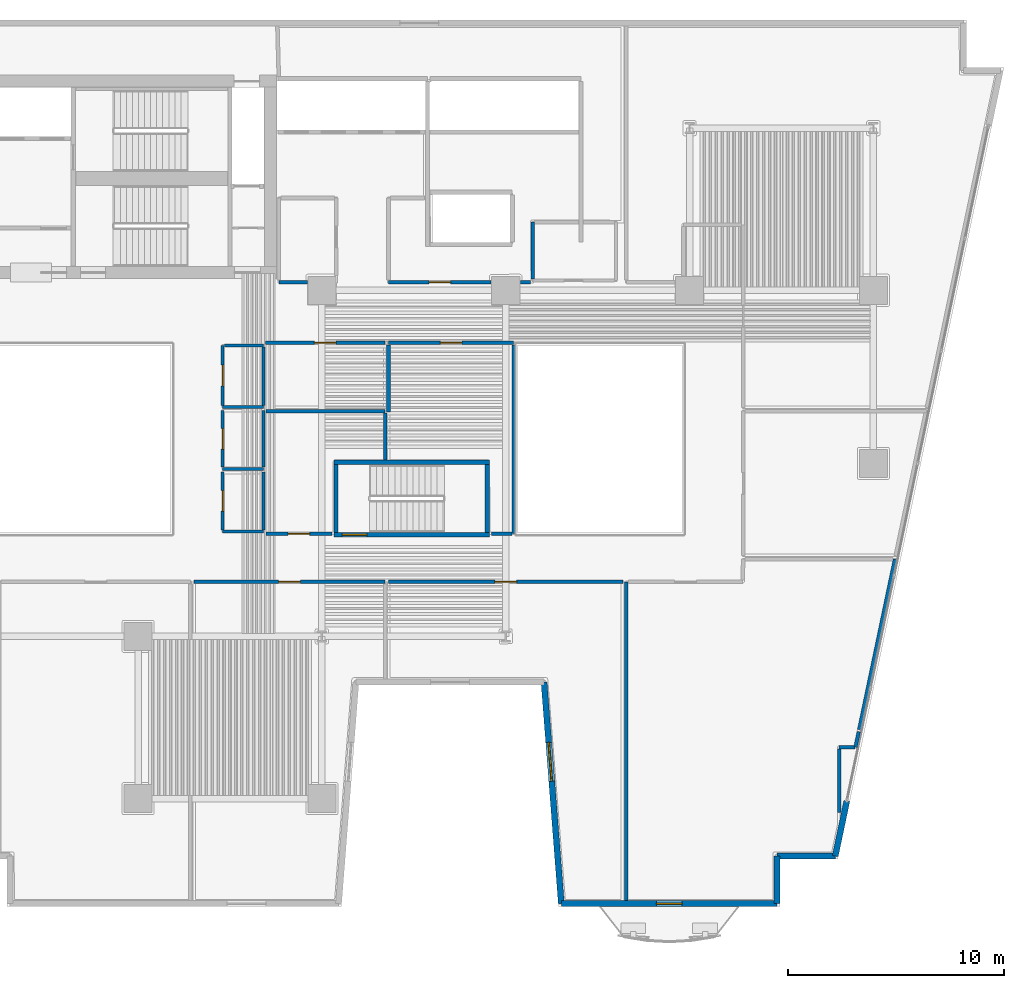
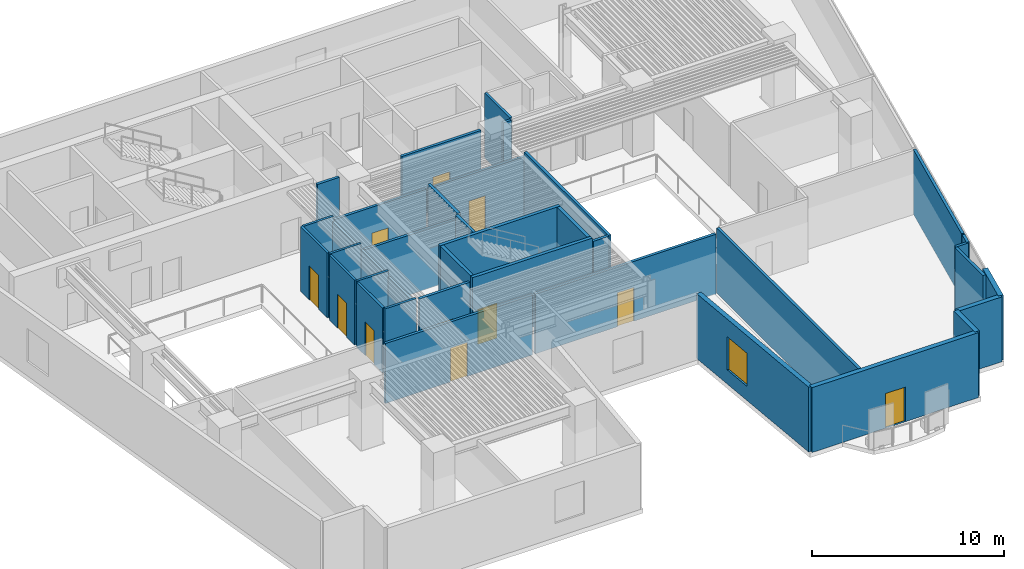
# One storey, part 4 of 12: 38 walls, 11 doors, 1 window, 12 openings.
"""IFC4 building model written with IfcOpenShell, lengths in metres."""

from ifc_helpers import new_model, si_unit, direction, frame, frame_2d, origin, place, context, subcontext, project, spatial, rectangle, extrude, material, layer, layer_set, type_object, element, fill, save


model = new_model("IFC4")

# Units and contexts
model_context = context("Model", 3, precision=1e-05, world=origin(), true_north=direction((0.0, 1.0)))
body_context = subcontext(model_context, "Body", "Model", "MODEL_VIEW")
ifc_project = project(units=[si_unit("LENGTHUNIT", "METRE"), si_unit("AREAUNIT", "SQUARE_METRE"), si_unit("VOLUMEUNIT", "CUBIC_METRE"), si_unit("PLANEANGLEUNIT", "RADIAN"), si_unit("MASSUNIT", "GRAM", prefix="KILO")], contexts=[model_context])

# Site, building, storey
site_placement = place(None, origin())
site = spatial("IfcSite", under=ifc_project, at=site_placement, CompositionType="ELEMENT")
building_placement = place(site_placement, origin())
building = spatial("IfcBuilding", under=site, at=building_placement, Name="Caeloran Harvest Quay", CompositionType="ELEMENT")
storey_placement = place(building_placement, frame((0.0, 0.0, 88.60009765625)))
storey = spatial("IfcBuildingStorey", under=building, at=storey_placement, Name="L20", CompositionType="ELEMENT", Elevation=88.60009765625)

# Walls
ifc_material_1 = material(Name="Precast concrete C50/60", Category="concrete")
ifc_layer_1 = layer(ifc_material_1, 0.280029296875, Name="Precast concrete C50/60")
ifc_layer_set_1 = layer_set([ifc_layer_1], Name="Precast concrete C50/60")
wall_type_1 = type_object("IfcWallType", Name="ENV-WALL-EW-280", PredefinedType="STANDARD", material=ifc_layer_set_1)
wall_1_placement = place(storey_placement, frame((49.77001953125, 7.384521484375, 0.0), z_axis=(0.0, 0.0, 1.0), x_axis=(-0.205551409765, -0.978646319128, 0.0)))
element("IfcWall", 1, at=wall_1_placement, inside=storey, type_object=wall_type_1, Name="L20 Exterior Facade Corner Pier Wall 9B", PredefinedType="STANDARD", context=body_context, shape_type="SweptSolid", body=[
    extrude(rectangle(XDim=2.599853515625, YDim=0.280029296875, at=frame_2d((1.2998046875, 0.0))), origin(), (0.0, 0.0, 1.0), 4.114990234375),
])
wall_2_placement = place(storey_placement, frame((49.235595703125, 4.840087890625, 0.0), z_axis=(0.0, 0.0, 1.0), x_axis=(-1.0, 0.0, 0.0)))
element("IfcWall", 2, at=wall_2_placement, inside=storey, type_object=wall_type_1, Name="L20 Exterior Precast Concrete Facade Wall 10", PredefinedType="STANDARD", context=body_context, shape_type="SweptSolid", body=[
    extrude(rectangle(XDim=2.6884765625, YDim=0.280029296875, at=frame_2d((1.34423828125, 0.0))), origin(), (0.0, 0.0, 1.0), 4.114990234375),
])
wall_3_placement = place(storey_placement, frame((46.547119140625, 4.840087890625, 0.0), z_axis=(0.0, 0.0, 1.0), x_axis=(0.0, -1.0, 0.0)))
element("IfcWall", 3, at=wall_3_placement, inside=storey, type_object=wall_type_1, Name="L20 Exterior Precast Concrete Facade Wall 11", PredefinedType="STANDARD", context=body_context, shape_type="SweptSolid", body=[
    extrude(rectangle(XDim=2.2001953125, YDim=0.280029296875, at=frame_2d((1.10009765625, 0.0))), origin(), (0.0, 0.0, 1.0), 4.114990234375),
])

# Wall, opening, door
wall_4_placement = place(storey_placement, frame((46.547119140625, 2.639892578125, 0.0), z_axis=(0.0, 0.0, 1.0), x_axis=(-1.0, 0.0, 0.0)))
wall_4 = element("IfcWall", 4, at=wall_4_placement, inside=storey, type_object=wall_type_1, Name="L20 Exterior Precast Concrete Facade Wall 12", PredefinedType="STANDARD", context=body_context, shape_type="SweptSolid", body=[
    extrude(rectangle(XDim=9.97705078125, YDim=0.280029296875, at=frame_2d((4.988525390625, 0.0))), origin(), (0.0, 0.0, 1.0), 4.114990234375),
])
opening_1_placement = place(wall_4_placement, frame((4.387939453125, 0.0, 0.0)))
opening_1 = element("IfcOpeningElement", 5, at=opening_1_placement, cuts=wall_4, Name="Opening BD-01", PredefinedType="OPENING", context=body_context, shape_type="SweptSolid", body=[
    extrude(rectangle(XDim=1.199951171875, YDim=2.199951171875, at=frame_2d((0.60009765625, 1.10009765625))), frame((0.0, 0.14990234375, 0.0), z_axis=(0.0, -1.0, 0.0), x_axis=(1.0, 0.0, 0.0)), (0.0, 0.0, 1.0), 0.300048828125),
])
ifc_material_2 = material(Name="Thermally Broken Powder-Coated Aluminium and Safety Glass", Category="aluminium")
door_type_1 = type_object("IfcDoorType", Name="EXTDOOR-BD-01", OperationType="NOTDEFINED", PredefinedType="DOOR", material=ifc_material_2)
door_1_placement = place(opening_1_placement, origin())
door_1 = element("IfcDoor", 6, at=door_1_placement, inside=storey, type_object=door_type_1, Name="L20 Planted Balcony Glazed Access Door", OperationType="SINGLE_SWING_LEFT", OverallHeight=2.199951171875, OverallWidth=1.199951171875, PredefinedType="DOOR", context=body_context, shape_type="SweptSolid", body=[
    extrude(rectangle(XDim=1.199951171875, YDim=2.199951171875, at=frame_2d((0.60009765625, 1.10009765625))), frame((0.0, 0.02490234375, 0.0), z_axis=(0.0, -1.0, 0.0), x_axis=(1.0, 0.0, 0.0)), (0.0, 0.0, 1.0), 0.050048828125),
])
fill(opening_1, door_1)

# Wall, opening, window
wall_5_placement = place(storey_placement, frame((36.570068359375, 2.639892578125, 0.0), z_axis=(0.0, 0.0, 1.0), x_axis=(-0.077816860153, 0.996967670627, 0.0)))
wall_5 = element("IfcWall", 7, at=wall_5_placement, inside=storey, type_object=wall_type_1, Name="L20 Exterior Precast Concrete Facade Wall 13", PredefinedType="STANDARD", context=body_context, shape_type="SweptSolid", body=[
    extrude(rectangle(XDim=10.28125, YDim=0.280029296875, at=frame_2d((5.140625, 0.0))), origin(), (0.0, 0.0, 1.0), 4.114990234375),
])
opening_2_placement = place(wall_5_placement, frame((5.679931640625, 0.0, 0.89990234375)))
opening_2 = element("IfcOpeningElement", 8, at=opening_2_placement, cuts=wall_5, Name="Opening W-01", PredefinedType="OPENING", context=body_context, shape_type="SweptSolid", body=[
    extrude(rectangle(XDim=1.800048828125, YDim=2.10009765625, at=frame_2d((0.89990234375, 1.050048828125))), frame((0.0, 0.14990234375, 0.0), z_axis=(0.0, -1.0, 0.0), x_axis=(1.0, 0.0, 0.0)), (0.0, 0.0, 1.0), 0.300048828125),
])
ifc_material_3 = material(Name="Aluminium-Framed Low-E Laminated Glass", Category="aluminium")
window_type = type_object("IfcWindowType", Name="WIN-W-01", PartitioningType="SINGLE_PANEL", PredefinedType="WINDOW", material=ifc_material_3)
window_placement = place(opening_2_placement, origin())
window = element("IfcWindow", 9, at=window_placement, inside=storey, type_object=window_type, Name="L20 Facade Punched Window W-01", OverallHeight=2.10009765625, OverallWidth=1.800048828125, PartitioningType="SINGLE_PANEL", PredefinedType="WINDOW", context=body_context, shape_type="SweptSolid", body=[
    extrude(rectangle(XDim=1.800048828125, YDim=2.10009765625, at=frame_2d((0.89990234375, 1.050048828125))), frame((0.0, 0.030029296875, 0.0), z_axis=(0.0, -1.0, 0.0), x_axis=(1.0, 0.0, 0.0)), (0.0, 0.0, 1.0), 0.06005859375),
])
fill(opening_2, window)

# Wall
ifc_material_4 = material(Name="Moisture-Resistant Cement-Board Sanitary Partition", Category="gypsum")
ifc_layer_2 = layer(ifc_material_4, 0.139892578125, Name="Moisture-Resistant Cement-Board Sanitary Partition")
ifc_layer_set_2 = layer_set([ifc_layer_2], Name="Moisture-Resistant Cement-Board Sanitary Partition")
wall_type_2 = type_object("IfcWallType", Name="INT-WALL-PW-140", PredefinedType="PARTITIONING", material=ifc_layer_set_2)
wall_6_placement = place(storey_placement, frame((22.800048828125, 25.60009765625, 0.0), z_axis=(0.0, 0.0, 1.0), x_axis=(-1.0, 0.0, 0.0)))
element("IfcWall", 10, at=wall_6_placement, inside=storey, type_object=wall_type_2, Name="L20 Male Washroom WC Partition Wall", PredefinedType="PARTITIONING", context=body_context, shape_type="SweptSolid", body=[
    extrude(rectangle(XDim=1.89013671875, YDim=0.139892578125, at=frame_2d((0.945068359375, 0.0))), origin(), (0.0, 0.0, 1.0), 4.114990234375),
])

# Wall, opening, door
wall_7_placement = place(storey_placement, frame((20.909912109375, 25.675048828125, 0.0), z_axis=(0.0, 0.0, 1.0), x_axis=(0.0, 1.0, 0.0)))
wall_7 = element("IfcWall", 11, at=wall_7_placement, inside=storey, type_object=wall_type_2, Name="L20 Male Washroom WC Partition Wall", PredefinedType="PARTITIONING", context=body_context, shape_type="SweptSolid", body=[
    extrude(rectangle(XDim=2.77490234375, YDim=0.139892578125, at=frame_2d((1.387451171875, 0.0))), origin(), (0.0, 0.0, 1.0), 4.114990234375),
])
opening_3_placement = place(wall_7_placement, frame((0.91259765625, 0.0, 0.0)))
opening_3 = element("IfcOpeningElement", 12, at=opening_3_placement, cuts=wall_7, Name="Opening WC-01", PredefinedType="OPENING", context=body_context, shape_type="SweptSolid", body=[
    extrude(rectangle(XDim=0.949951171875, YDim=2.14990234375, at=frame_2d((0.47509765625, 1.074951171875))), frame((0.0, 0.080078125, 0.0), z_axis=(0.0, -1.0, 0.0), x_axis=(1.0, 0.0, 0.0)), (0.0, 0.0, 1.0), 0.159912109375),
])
ifc_material_5 = material(Name="High-Pressure Laminate Moisture-Resistant Timber", Category="wood")
door_type_2 = type_object("IfcDoorType", Name="INTDOOR-WC-01", OperationType="NOTDEFINED", PredefinedType="DOOR", material=ifc_material_5)
door_2_placement = place(opening_3_placement, origin())
door_2 = element("IfcDoor", 13, at=door_2_placement, inside=storey, type_object=door_type_2, Name="L20 Male Washroom WC Access Door", OperationType="SINGLE_SWING_LEFT", OverallHeight=2.14990234375, OverallWidth=0.949951171875, PredefinedType="DOOR", context=body_context, shape_type="SweptSolid", body=[
    extrude(rectangle(XDim=0.949951171875, YDim=2.14990234375, at=frame_2d((0.47509765625, 1.074951171875))), frame((0.0, 0.02490234375, 0.0), z_axis=(0.0, -1.0, 0.0), x_axis=(1.0, 0.0, 0.0)), (0.0, 0.0, 1.0), 0.050048828125),
])
fill(opening_3, door_2)

# Walls
wall_8_placement = place(storey_placement, frame((20.985107421875, 28.449951171875, 0.0), z_axis=(0.0, 0.0, 1.0), x_axis=(1.0, 0.0, 0.0)))
element("IfcWall", 14, at=wall_8_placement, inside=storey, type_object=wall_type_2, Name="L20 Male Washroom WC Partition Wall", PredefinedType="PARTITIONING", context=body_context, shape_type="SweptSolid", body=[
    extrude(rectangle(XDim=1.81494140625, YDim=0.139892578125, at=frame_2d((0.907470703125, 0.0))), origin(), (0.0, 0.0, 1.0), 4.114990234375),
])
wall_9_placement = place(storey_placement, frame((22.800048828125, 28.375, 0.0), z_axis=(0.0, 0.0, 1.0), x_axis=(0.0, -1.0, 0.0)))
element("IfcWall", 15, at=wall_9_placement, inside=storey, type_object=wall_type_2, Name="L20 Male Washroom WC Partition Wall", PredefinedType="PARTITIONING", context=body_context, shape_type="SweptSolid", body=[
    extrude(rectangle(XDim=2.699951171875, YDim=0.139892578125, at=frame_2d((1.35009765625, 0.0))), origin(), (0.0, 0.0, 1.0), 3.7998046875),
])
wall_10_placement = place(storey_placement, frame((22.800048828125, 22.75, 0.0), z_axis=(0.0, 0.0, 1.0), x_axis=(-1.0, 0.0, 0.0)))
element("IfcWall", 16, at=wall_10_placement, inside=storey, type_object=wall_type_2, Name="L20 Female Washroom WC Partition Wall", PredefinedType="PARTITIONING", context=body_context, shape_type="SweptSolid", body=[
    extrude(rectangle(XDim=1.89013671875, YDim=0.139892578125, at=frame_2d((0.945068359375, 0.0))), origin(), (0.0, 0.0, 1.0), 4.114990234375),
])

# Wall, opening, door
wall_11_placement = place(storey_placement, frame((20.909912109375, 22.824951171875, 0.0), z_axis=(0.0, 0.0, 1.0), x_axis=(0.0, 1.0, 0.0)))
wall_11 = element("IfcWall", 17, at=wall_11_placement, inside=storey, type_object=wall_type_2, Name="L20 Female Washroom WC Partition Wall", PredefinedType="PARTITIONING", context=body_context, shape_type="SweptSolid", body=[
    extrude(rectangle(XDim=2.625, YDim=0.139892578125, at=frame_2d((1.3125, 0.0))), origin(), (0.0, 0.0, 1.0), 4.114990234375),
])
opening_4_placement = place(wall_11_placement, frame((0.83740234375, 0.0, 0.0)))
opening_4 = element("IfcOpeningElement", 18, at=opening_4_placement, cuts=wall_11, Name="Opening WC-01", PredefinedType="OPENING", context=body_context, shape_type="SweptSolid", body=[
    extrude(rectangle(XDim=0.949951171875, YDim=2.14990234375, at=frame_2d((0.47509765625, 1.074951171875))), frame((0.0, 0.080078125, 0.0), z_axis=(0.0, -1.0, 0.0), x_axis=(1.0, 0.0, 0.0)), (0.0, 0.0, 1.0), 0.159912109375),
])
door_3_placement = place(opening_4_placement, origin())
door_3 = element("IfcDoor", 19, at=door_3_placement, inside=storey, type_object=door_type_2, Name="L20 Female Washroom WC Access Door", OperationType="SINGLE_SWING_RIGHT", OverallHeight=2.14990234375, OverallWidth=0.949951171875, PredefinedType="DOOR", context=body_context, shape_type="SweptSolid", body=[
    extrude(rectangle(XDim=0.949951171875, YDim=2.14990234375, at=frame_2d((0.47509765625, 1.074951171875))), frame((0.0, 0.02490234375, 0.0), z_axis=(0.0, -1.0, 0.0), x_axis=(1.0, 0.0, 0.0)), (0.0, 0.0, 1.0), 0.050048828125),
])
fill(opening_4, door_3)

# Walls
wall_12_placement = place(storey_placement, frame((22.800048828125, 25.449951171875, 0.0), z_axis=(0.0, 0.0, 1.0), x_axis=(0.0, -1.0, 0.0)))
element("IfcWall", 20, at=wall_12_placement, inside=storey, type_object=wall_type_2, Name="L20 Female Washroom WC Partition Wall", PredefinedType="PARTITIONING", context=body_context, shape_type="SweptSolid", body=[
    extrude(rectangle(XDim=2.625, YDim=0.139892578125, at=frame_2d((1.3125, 0.0))), origin(), (0.0, 0.0, 1.0), 3.7998046875),
])
wall_13_placement = place(storey_placement, frame((22.800048828125, 19.85009765625, 0.0), z_axis=(0.0, 0.0, 1.0), x_axis=(-1.0, 0.0, 0.0)))
element("IfcWall", 21, at=wall_13_placement, inside=storey, type_object=wall_type_2, Name="L20 Accessible Unisex Washroom WC Partition Wall", PredefinedType="PARTITIONING", context=body_context, shape_type="SweptSolid", body=[
    extrude(rectangle(XDim=1.89013671875, YDim=0.139892578125, at=frame_2d((0.945068359375, 0.0))), origin(), (0.0, 0.0, 1.0), 4.114990234375),
])

# Wall, opening, door
wall_14_placement = place(storey_placement, frame((20.909912109375, 19.925048828125, 0.0), z_axis=(0.0, 0.0, 1.0), x_axis=(0.0, 1.0, 0.0)))
wall_14 = element("IfcWall", 22, at=wall_14_placement, inside=storey, type_object=wall_type_2, Name="L20 Accessible Unisex Washroom WC Partition Wall", PredefinedType="PARTITIONING", context=body_context, shape_type="SweptSolid", body=[
    extrude(rectangle(XDim=2.675048828125, YDim=0.139892578125, at=frame_2d((1.33740234375, 0.0))), origin(), (0.0, 0.0, 1.0), 4.114990234375),
])
opening_5_placement = place(wall_14_placement, frame((0.862548828125, 0.0, 0.0)))
opening_5 = element("IfcOpeningElement", 23, at=opening_5_placement, cuts=wall_14, Name="Opening WC-01", PredefinedType="OPENING", context=body_context, shape_type="SweptSolid", body=[
    extrude(rectangle(XDim=0.949951171875, YDim=2.14990234375, at=frame_2d((0.47509765625, 1.074951171875))), frame((0.0, 0.080078125, 0.0), z_axis=(0.0, -1.0, 0.0), x_axis=(1.0, 0.0, 0.0)), (0.0, 0.0, 1.0), 0.159912109375),
])
door_4_placement = place(opening_5_placement, origin())
door_4 = element("IfcDoor", 24, at=door_4_placement, inside=storey, type_object=door_type_2, Name="L20 Accessible Unisex Washroom WC Access Door", OperationType="SINGLE_SWING_LEFT", OverallHeight=2.14990234375, OverallWidth=0.949951171875, PredefinedType="DOOR", context=body_context, shape_type="SweptSolid", body=[
    extrude(rectangle(XDim=0.949951171875, YDim=2.14990234375, at=frame_2d((0.47509765625, 1.074951171875))), frame((0.0, 0.02490234375, 0.0), z_axis=(0.0, -1.0, 0.0), x_axis=(1.0, 0.0, 0.0)), (0.0, 0.0, 1.0), 0.050048828125),
])
fill(opening_5, door_4)

# Walls
wall_15_placement = place(storey_placement, frame((22.800048828125, 22.60009765625, 0.0), z_axis=(0.0, 0.0, 1.0), x_axis=(0.0, -1.0, 0.0)))
element("IfcWall", 25, at=wall_15_placement, inside=storey, type_object=wall_type_2, Name="L20 Accessible Unisex Washroom WC Partition Wall", PredefinedType="PARTITIONING", context=body_context, shape_type="SweptSolid", body=[
    extrude(rectangle(XDim=2.675048828125, YDim=0.139892578125, at=frame_2d((1.33740234375, 0.0))), origin(), (0.0, 0.0, 1.0), 3.7998046875),
])
ifc_material_6 = material(Name="Autoclaved Aerated Concrete Blockwork and Plasterboard", Category="masonry")
ifc_layer_3 = layer(ifc_material_6, 0.14990234375, Name="Autoclaved Aerated Concrete Blockwork and Plasterboard")
ifc_layer_set_3 = layer_set([ifc_layer_3], Name="Autoclaved Aerated Concrete Blockwork and Plasterboard")
wall_type_3 = type_object("IfcWallType", Name="INT-WALL-PW-150", PredefinedType="PARTITIONING", material=ifc_layer_set_3)
wall_16_placement = place(storey_placement, frame((35.25, 31.530029296875, 0.0), z_axis=(0.0, 0.0, 1.0), x_axis=(0.0, 1.0, 0.0)))
element("IfcWall", 26, at=wall_16_placement, inside=storey, type_object=wall_type_3, Name="L20 Core Auxiliary Equipment Room Partition Wall", PredefinedType="PARTITIONING", context=body_context, shape_type="SweptSolid", body=[
    extrude(rectangle(XDim=2.619873046875, YDim=0.14990234375, at=frame_2d((1.31005859375, 0.0))), origin(), (0.0, 0.0, 1.0), 4.114990234375),
])

# Wall, opening, door
ifc_material_7 = material(Name="Autoclaved Aerated Concrete Blockwork", Category="masonry")
ifc_layer_4 = layer(ifc_material_7, 0.1650390625, Name="Autoclaved Aerated Concrete Blockwork")
ifc_layer_set_4 = layer_set([ifc_layer_4], Name="Autoclaved Aerated Concrete Blockwork")
wall_type_4 = type_object("IfcWallType", Name="INT-WALL-PW-165", PredefinedType="PARTITIONING", material=ifc_layer_set_4)
wall_17_placement = place(storey_placement, frame((19.580078125, 17.52001953125, 0.0), z_axis=(0.0, 0.0, 1.0), x_axis=(1.0, 0.0, 0.0)))
wall_17 = element("IfcWall", 27, at=wall_17_placement, inside=storey, type_object=wall_type_4, Name="Botanical Workshop Studio Partition Wall", PredefinedType="PARTITIONING", context=body_context, shape_type="SweptSolid", body=[
    extrude(rectangle(XDim=8.83984375, YDim=0.1650390625, at=frame_2d((4.419921875, 0.0))), origin(), (0.0, 0.0, 1.0), 3.7998046875),
])
opening_6_placement = place(wall_17_placement, frame((3.919921875, 0.0, 0.0)))
opening_6 = element("IfcOpeningElement", 28, at=opening_6_placement, cuts=wall_17, Name="Opening ID-01", PredefinedType="OPENING", context=body_context, shape_type="SweptSolid", body=[
    extrude(rectangle(XDim=1.0, YDim=2.14990234375, at=frame_2d((0.5, 1.074951171875))), frame((0.0, 0.092529296875, 0.0), z_axis=(0.0, -1.0, 0.0), x_axis=(1.0, 0.0, 0.0)), (0.0, 0.0, 1.0), 0.18505859375),
])
ifc_material_8 = material(Name="FSC Solid-Core Ash Timber and Acoustic Seal", Category="wood")
door_type_3 = type_object("IfcDoorType", Name="INTDOOR-ID-01", OperationType="NOTDEFINED", PredefinedType="DOOR", material=ifc_material_8)
door_5_placement = place(opening_6_placement, origin())
door_5 = element("IfcDoor", 29, at=door_5_placement, inside=storey, type_object=door_type_3, Name="Botanical Workshop Studio Access Door", OperationType="SINGLE_SWING_LEFT", OverallHeight=2.14990234375, OverallWidth=1.0, PredefinedType="DOOR", context=body_context, shape_type="SweptSolid", body=[
    extrude(rectangle(XDim=1.0, YDim=2.14990234375, at=frame_2d((0.5, 1.074951171875))), frame((0.0, 0.02490234375, 0.0), z_axis=(0.0, -1.0, 0.0), x_axis=(1.0, 0.0, 0.0)), (0.0, 0.0, 1.0), 0.050048828125),
])
fill(opening_6, door_5)

# Walls
wall_18_placement = place(storey_placement, frame((51.9970703125, 18.570068359375, 0.0), z_axis=(0.0, 0.0, 1.0), x_axis=(-0.205584289858, -0.978639412533, 0.0)))
element("IfcWall", 30, at=wall_18_placement, inside=storey, type_object=wall_type_4, Name="Sensory Fermentation Kitchen Partition Wall", PredefinedType="PARTITIONING", context=body_context, shape_type="SweptSolid", body=[
    extrude(rectangle(XDim=8.05517578125, YDim=0.1650390625, at=frame_2d((4.027587890625, 0.0))), origin(), (0.0, 0.0, 1.0), 4.114990234375),
])
wall_19_placement = place(storey_placement, frame((50.321533203125, 10.594482421875, 0.0), z_axis=(0.0, 0.0, 1.0), x_axis=(-0.204661980979, -0.978832709681, 0.0)))
element("IfcWall", 31, at=wall_19_placement, inside=storey, type_object=wall_type_4, Name="Sensory Fermentation Kitchen Partition Wall", PredefinedType="PARTITIONING", context=body_context, shape_type="SweptSolid", body=[
    extrude(rectangle(XDim=0.72998046875, YDim=0.1650390625, at=frame_2d((0.364990234375, 0.0))), origin(), (0.0, 0.0, 1.0), 4.114990234375),
])
wall_20_placement = place(storey_placement, frame((50.147705078125, 9.8798828125, 0.0), z_axis=(0.0, 0.0, 1.0), x_axis=(-1.0, 0.0, 0.0)))
element("IfcWall", 32, at=wall_20_placement, inside=storey, type_object=wall_type_4, Name="Sensory Fermentation Kitchen Partition Wall", PredefinedType="PARTITIONING", context=body_context, shape_type="SweptSolid", body=[
    extrude(rectangle(XDim=0.727783203125, YDim=0.1650390625, at=frame_2d((0.36376953125, 0.0))), origin(), (0.0, 0.0, 1.0), 4.114990234375),
])
wall_21_placement = place(storey_placement, frame((49.419921875, 9.79248046875, 0.0), z_axis=(0.0, 0.0, 1.0), x_axis=(0.0, -1.0, 0.0)))
element("IfcWall", 33, at=wall_21_placement, inside=storey, type_object=wall_type_4, Name="Sensory Fermentation Kitchen Partition Wall", PredefinedType="PARTITIONING", context=body_context, shape_type="SweptSolid", body=[
    extrude(rectangle(XDim=2.93408203125, YDim=0.1650390625, at=frame_2d((1.467041015625, 0.0))), origin(), (0.0, 0.0, 1.0), 4.114990234375),
])
wall_22_placement = place(storey_placement, frame((39.580078125, 2.784912109375, 0.0), z_axis=(0.0, 0.0, 1.0), x_axis=(0.0, 1.0, 0.0)))
element("IfcWall", 34, at=wall_22_placement, inside=storey, type_object=wall_type_4, Name="Sensory Fermentation Kitchen Partition Wall", PredefinedType="PARTITIONING", context=body_context, shape_type="SweptSolid", body=[
    extrude(rectangle(XDim=14.735107421875, YDim=0.1650390625, at=frame_2d((7.36767578125, 0.0))), origin(), (0.0, 0.0, 1.0), 4.114990234375),
])

# Wall, opening, door
wall_23_placement = place(storey_placement, frame((28.580078125, 17.52001953125, 0.0), z_axis=(0.0, 0.0, 1.0), x_axis=(1.0, 0.0, 0.0)))
wall_23 = element("IfcWall", 35, at=wall_23_placement, inside=storey, type_object=wall_type_4, Name="Seed Library Reading Lounge Partition Wall", PredefinedType="PARTITIONING", context=body_context, shape_type="SweptSolid", body=[
    extrude(rectangle(XDim=10.83984375, YDim=0.1650390625, at=frame_2d((5.419921875, 0.0))), origin(), (0.0, 0.0, 1.0), 3.7998046875),
])
opening_7_placement = place(wall_23_placement, frame((4.919921875, 0.0, 0.0)))
opening_7 = element("IfcOpeningElement", 36, at=opening_7_placement, cuts=wall_23, Name="Opening ID-01", PredefinedType="OPENING", context=body_context, shape_type="SweptSolid", body=[
    extrude(rectangle(XDim=1.0, YDim=2.14990234375, at=frame_2d((0.5, 1.074951171875))), frame((0.0, 0.092529296875, 0.0), z_axis=(0.0, -1.0, 0.0), x_axis=(1.0, 0.0, 0.0)), (0.0, 0.0, 1.0), 0.18505859375),
])
door_6_placement = place(opening_7_placement, origin())
door_6 = element("IfcDoor", 37, at=door_6_placement, inside=storey, type_object=door_type_3, Name="Seed Library Reading Lounge Access Door", OperationType="SINGLE_SWING_RIGHT", OverallHeight=2.14990234375, OverallWidth=1.0, PredefinedType="DOOR", context=body_context, shape_type="SweptSolid", body=[
    extrude(rectangle(XDim=1.0, YDim=2.14990234375, at=frame_2d((0.5, 1.074951171875))), frame((0.0, 0.02490234375, 0.0), z_axis=(0.0, -1.0, 0.0), x_axis=(1.0, 0.0, 0.0)), (0.0, 0.0, 1.0), 0.050048828125),
])
fill(opening_7, door_6)

wall_24_placement = place(storey_placement, frame((25.95556640625, 19.75, 0.0), z_axis=(0.0, 0.0, 1.0), x_axis=(-1.0, 0.0, 0.0)))
wall_24 = element("IfcWall", 38, at=wall_24_placement, inside=storey, type_object=wall_type_4, Name="Tasting Salon Lounge Partition Wall", PredefinedType="PARTITIONING", context=body_context, shape_type="SweptSolid", body=[
    extrude(rectangle(XDim=3.045654296875, YDim=0.1650390625, at=frame_2d((1.52294921875, 0.0))), origin(), (0.0, 0.0, 1.0), 4.114990234375),
])
opening_8_placement = place(wall_24_placement, frame((1.022705078125, 0.0, 0.0)))
opening_8 = element("IfcOpeningElement", 39, at=opening_8_placement, cuts=wall_24, Name="Opening ID-01", PredefinedType="OPENING", context=body_context, shape_type="SweptSolid", body=[
    extrude(rectangle(XDim=1.0, YDim=2.14990234375, at=frame_2d((0.5, 1.074951171875))), frame((0.0, 0.092529296875, 0.0), z_axis=(0.0, -1.0, 0.0), x_axis=(1.0, 0.0, 0.0)), (0.0, 0.0, 1.0), 0.18505859375),
])
door_7_placement = place(opening_8_placement, origin())
door_7 = element("IfcDoor", 40, at=door_7_placement, inside=storey, type_object=door_type_3, Name="Tasting Salon Lounge Access Door", OperationType="SINGLE_SWING_RIGHT", OverallHeight=2.14990234375, OverallWidth=1.0, PredefinedType="DOOR", context=body_context, shape_type="SweptSolid", body=[
    extrude(rectangle(XDim=1.0, YDim=2.14990234375, at=frame_2d((0.5, 1.074951171875))), frame((0.0, 0.02490234375, 0.0), z_axis=(0.0, -1.0, 0.0), x_axis=(1.0, 0.0, 0.0)), (0.0, 0.0, 1.0), 0.050048828125),
])
fill(opening_8, door_7)

# Walls
wall_25_placement = place(storey_placement, frame((22.909912109375, 25.419921875, 0.0), z_axis=(0.0, 0.0, 1.0), x_axis=(1.0, 0.0, 0.0)))
element("IfcWall", 41, at=wall_25_placement, inside=storey, type_object=wall_type_4, Name="Tasting Salon Lounge Partition Wall", PredefinedType="PARTITIONING", context=body_context, shape_type="SweptSolid", body=[
    extrude(rectangle(XDim=5.510009765625, YDim=0.1650390625, at=frame_2d((2.7548828125, 0.0))), origin(), (0.0, 0.0, 1.0), 3.7998046875),
])
wall_26_placement = place(storey_placement, frame((28.419921875, 25.33251953125, 0.0), z_axis=(0.0, 0.0, 1.0), x_axis=(0.0, -1.0, 0.0)))
element("IfcWall", 42, at=wall_26_placement, inside=storey, type_object=wall_type_4, Name="Tasting Salon Lounge Partition Wall", PredefinedType="PARTITIONING", context=body_context, shape_type="SweptSolid", body=[
    extrude(rectangle(XDim=2.177490234375, YDim=0.1650390625, at=frame_2d((1.0888671875, 0.0))), origin(), (0.0, 0.0, 1.0), 4.114990234375),
])

# Wall, opening, door
wall_27_placement = place(storey_placement, frame((28.580078125, 28.570068359375, 0.0), z_axis=(0.0, 0.0, 1.0), x_axis=(1.0, 0.0, 0.0)))
wall_27 = element("IfcWall", 43, at=wall_27_placement, inside=storey, type_object=wall_type_4, Name="Culinary Harvest Tasting Kitchen 8 Partition Wall", PredefinedType="PARTITIONING", context=body_context, shape_type="SweptSolid", body=[
    extrude(rectangle(XDim=5.7900390625, YDim=0.1650390625, at=frame_2d((2.89501953125, 0.0))), origin(), (0.0, 0.0, 1.0), 3.7998046875),
])
opening_9_placement = place(wall_27_placement, frame((2.39501953125, 0.0, 0.0)))
opening_9 = element("IfcOpeningElement", 44, at=opening_9_placement, cuts=wall_27, Name="Opening ID-01", PredefinedType="OPENING", context=body_context, shape_type="SweptSolid", body=[
    extrude(rectangle(XDim=1.0, YDim=2.14990234375, at=frame_2d((0.5, 1.074951171875))), frame((0.0, 0.092529296875, 0.0), z_axis=(0.0, -1.0, 0.0), x_axis=(1.0, 0.0, 0.0)), (0.0, 0.0, 1.0), 0.18505859375),
])
door_8_placement = place(opening_9_placement, origin())
door_8 = element("IfcDoor", 45, at=door_8_placement, inside=storey, type_object=door_type_3, Name="Culinary Harvest Tasting Kitchen 8 Access Door", OperationType="SINGLE_SWING_LEFT", OverallHeight=2.14990234375, OverallWidth=1.0, PredefinedType="DOOR", context=body_context, shape_type="SweptSolid", body=[
    extrude(rectangle(XDim=1.0, YDim=2.14990234375, at=frame_2d((0.5, 1.074951171875))), frame((0.0, 0.02490234375, 0.0), z_axis=(0.0, -1.0, 0.0), x_axis=(1.0, 0.0, 0.0)), (0.0, 0.0, 1.0), 0.050048828125),
])
fill(opening_9, door_8)

# Walls
wall_28_placement = place(storey_placement, frame((34.3701171875, 28.482421875, 0.0), z_axis=(0.0, 0.0, 1.0), x_axis=(0.0, -1.0, 0.0)))
element("IfcWall", 46, at=wall_28_placement, inside=storey, type_object=wall_type_4, Name="Culinary Harvest Tasting Kitchen 8 Partition Wall", PredefinedType="PARTITIONING", context=body_context, shape_type="SweptSolid", body=[
    extrude(rectangle(XDim=8.732421875, YDim=0.1650390625, at=frame_2d((4.3662109375, 0.0))), origin(), (0.0, 0.0, 1.0), 4.114990234375),
])
wall_29_placement = place(storey_placement, frame((34.282470703125, 19.75, 0.0), z_axis=(0.0, 0.0, 1.0), x_axis=(-1.0, 0.0, 0.0)))
element("IfcWall", 47, at=wall_29_placement, inside=storey, type_object=wall_type_4, Name="Culinary Harvest Tasting Kitchen 8 Partition Wall", PredefinedType="PARTITIONING", context=body_context, shape_type="SweptSolid", body=[
    extrude(rectangle(XDim=0.93798828125, YDim=0.1650390625, at=frame_2d((0.468994140625, 0.0))), origin(), (0.0, 0.0, 1.0), 4.114990234375),
])
wall_30_placement = place(storey_placement, frame((28.580078125, 25.386474609375, 0.0), z_axis=(0.0, 0.0, 1.0), x_axis=(0.0, 1.0, 0.0)))
element("IfcWall", 48, at=wall_30_placement, inside=storey, type_object=wall_type_4, Name="Culinary Harvest Tasting Kitchen 8 Partition Wall", PredefinedType="PARTITIONING", context=body_context, shape_type="SweptSolid", body=[
    extrude(rectangle(XDim=3.095947265625, YDim=0.1650390625, at=frame_2d((1.5478515625, 0.0))), origin(), (0.0, 0.0, 1.0), 4.114990234375),
])

# Wall, opening, door
wall_31_placement = place(storey_placement, frame((22.889892578125, 28.570068359375, 0.0), z_axis=(0.0, 0.0, 1.0), x_axis=(1.0, 0.0, 0.0)))
wall_31 = element("IfcWall", 49, at=wall_31_placement, inside=storey, type_object=wall_type_4, Name="Botanical Workshop Studio 9 Partition Wall", PredefinedType="PARTITIONING", context=body_context, shape_type="SweptSolid", body=[
    extrude(rectangle(XDim=5.530029296875, YDim=0.1650390625, at=frame_2d((2.76513671875, 0.0))), origin(), (0.0, 0.0, 1.0), 3.7998046875),
])
opening_10_placement = place(wall_31_placement, frame((2.264892578125, 0.0, 0.0)))
opening_10 = element("IfcOpeningElement", 50, at=opening_10_placement, cuts=wall_31, Name="Opening ID-01", PredefinedType="OPENING", context=body_context, shape_type="SweptSolid", body=[
    extrude(rectangle(XDim=1.0, YDim=2.14990234375, at=frame_2d((0.5, 1.074951171875))), frame((0.0, 0.092529296875, 0.0), z_axis=(0.0, -1.0, 0.0), x_axis=(1.0, 0.0, 0.0)), (0.0, 0.0, 1.0), 0.18505859375),
])
door_9_placement = place(opening_10_placement, origin())
door_9 = element("IfcDoor", 51, at=door_9_placement, inside=storey, type_object=door_type_3, Name="Botanical Workshop Studio 9 Access Door", OperationType="SINGLE_SWING_RIGHT", OverallHeight=2.14990234375, OverallWidth=1.0, PredefinedType="DOOR", context=body_context, shape_type="SweptSolid", body=[
    extrude(rectangle(XDim=1.0, YDim=2.14990234375, at=frame_2d((0.5, 1.074951171875))), frame((0.0, 0.02490234375, 0.0), z_axis=(0.0, -1.0, 0.0), x_axis=(1.0, 0.0, 0.0)), (0.0, 0.0, 1.0), 0.050048828125),
])
fill(opening_10, door_9)

# Walls
wall_32_placement = place(storey_placement, frame((24.824951171875, 31.3798828125, 0.0), z_axis=(0.0, 0.0, 1.0), x_axis=(-1.0, 0.0, 0.0)))
element("IfcWall", 52, at=wall_32_placement, inside=storey, type_object=wall_type_4, Name="Sensory Fermentation Kitchen 10 Partition Wall", PredefinedType="PARTITIONING", context=body_context, shape_type="SweptSolid", body=[
    extrude(rectangle(XDim=1.31494140625, YDim=0.1650390625, at=frame_2d((0.657470703125, 0.0))), origin(), (0.0, 0.0, 1.0), 4.114990234375),
])
wall_33_placement = place(storey_placement, frame((35.155517578125, 31.3798828125, 0.0), z_axis=(0.0, 0.0, 1.0), x_axis=(-1.0, 0.0, 0.0)))
element("IfcWall", 53, at=wall_33_placement, inside=storey, type_object=wall_type_4, Name="Seed Library Reading Lounge 12 Partition Wall", PredefinedType="PARTITIONING", context=body_context, shape_type="SweptSolid", body=[
    extrude(rectangle(XDim=0.48046875, YDim=0.1650390625, at=frame_2d((0.240234375, 0.0))), origin(), (0.0, 0.0, 1.0), 4.114990234375),
])

# Wall, opening, door
wall_34_placement = place(storey_placement, frame((33.324951171875, 31.3798828125, 0.0), z_axis=(0.0, 0.0, 1.0), x_axis=(-1.0, 0.0, 0.0)))
wall_34 = element("IfcWall", 54, at=wall_34_placement, inside=storey, type_object=wall_type_4, Name="Seed Library Reading Lounge 12 Partition Wall", PredefinedType="PARTITIONING", context=body_context, shape_type="SweptSolid", body=[
    extrude(rectangle(XDim=4.744873046875, YDim=0.1650390625, at=frame_2d((2.37255859375, 0.0))), origin(), (0.0, 0.0, 1.0), 4.114990234375),
])
opening_11_placement = place(wall_34_placement, frame((1.87255859375, 0.0, 0.0)))
opening_11 = element("IfcOpeningElement", 55, at=opening_11_placement, cuts=wall_34, Name="Opening ID-01", PredefinedType="OPENING", context=body_context, shape_type="SweptSolid", body=[
    extrude(rectangle(XDim=1.0, YDim=2.14990234375, at=frame_2d((0.5, 1.074951171875))), frame((0.0, 0.092529296875, 0.0), z_axis=(0.0, -1.0, 0.0), x_axis=(1.0, 0.0, 0.0)), (0.0, 0.0, 1.0), 0.18505859375),
])
door_10_placement = place(opening_11_placement, origin())
door_10 = element("IfcDoor", 56, at=door_10_placement, inside=storey, type_object=door_type_3, Name="Seed Library Reading Lounge 12 Access Door", OperationType="SINGLE_SWING_RIGHT", OverallHeight=2.14990234375, OverallWidth=1.0, PredefinedType="DOOR", context=body_context, shape_type="SweptSolid", body=[
    extrude(rectangle(XDim=1.0, YDim=2.14990234375, at=frame_2d((0.5, 1.074951171875))), frame((0.0, 0.02490234375, 0.0), z_axis=(0.0, -1.0, 0.0), x_axis=(1.0, 0.0, 0.0)), (0.0, 0.0, 1.0), 0.050048828125),
])
fill(opening_11, door_10)

ifc_material_9 = material(Name="Concrete C60/75", Category="concrete")
ifc_layer_5 = layer(ifc_material_9, 0.199951171875, Name="Concrete C60/75")
ifc_layer_set_5 = layer_set([ifc_layer_5], Name="Concrete C60/75")
wall_type_5 = type_object("IfcWallType", Name="STR-WALL-SW-200", PredefinedType="SHEAR", material=ifc_layer_set_5)
wall_35_placement = place(storey_placement, frame((26.050048828125, 19.699951171875, 0.0), z_axis=(0.0, 0.0, 1.0), x_axis=(1.0, 0.0, 0.0)))
wall_35 = element("IfcWall", 57, at=wall_35_placement, inside=storey, type_object=wall_type_5, Name="L20 Stair ST-W1 S RC Shaft Shear Wall", PredefinedType="SHEAR", context=body_context, shape_type="SweptSolid", body=[
    extrude(rectangle(XDim=7.199951171875, YDim=0.199951171875, at=frame_2d((3.60009765625, 0.0))), origin(), (0.0, 0.0, 1.0), 4.39990234375),
])
opening_12_placement = place(wall_35_placement, frame((0.3798828125, 0.0, 0.0)))
opening_12 = element("IfcOpeningElement", 58, at=opening_12_placement, cuts=wall_35, Name="Opening SD-01", PredefinedType="OPENING", context=body_context, shape_type="SweptSolid", body=[
    extrude(rectangle(XDim=1.14990234375, YDim=2.199951171875, at=frame_2d((0.574951171875, 1.10009765625))), frame((0.0, 0.10986328125, 0.0), z_axis=(0.0, -1.0, 0.0), x_axis=(1.0, 0.0, 0.0)), (0.0, 0.0, 1.0), 0.219970703125),
])
ifc_material_10 = material(Name="Steel", Category="steel")
door_type_4 = type_object("IfcDoorType", Name="INTDOOR-SD-01", OperationType="NOTDEFINED", PredefinedType="DOOR", material=ifc_material_10)
door_11_placement = place(opening_12_placement, origin())
door_11 = element("IfcDoor", 59, at=door_11_placement, inside=storey, type_object=door_type_4, Name="L20 Protected Exit Stair ST-W1 Fire Door", OperationType="SINGLE_SWING_LEFT", OverallHeight=2.199951171875, OverallWidth=1.14990234375, PredefinedType="DOOR", context=body_context, shape_type="SweptSolid", body=[
    extrude(rectangle(XDim=1.14990234375, YDim=2.199951171875, at=frame_2d((0.574951171875, 1.10009765625))), frame((0.0, 0.02490234375, 0.0), z_axis=(0.0, -1.0, 0.0), x_axis=(1.0, 0.0, 0.0)), (0.0, 0.0, 1.0), 0.050048828125),
])
fill(opening_12, door_11)

# Walls
wall_36_placement = place(storey_placement, frame((26.050048828125, 23.050048828125, 0.0), z_axis=(0.0, 0.0, 1.0), x_axis=(1.0, 0.0, 0.0)))
element("IfcWall", 60, at=wall_36_placement, inside=storey, type_object=wall_type_5, Name="L20 Stair ST-W1 N RC Shaft Shear Wall", PredefinedType="SHEAR", context=body_context, shape_type="SweptSolid", body=[
    extrude(rectangle(XDim=7.199951171875, YDim=0.199951171875, at=frame_2d((3.60009765625, 0.0))), origin(), (0.0, 0.0, 1.0), 4.39990234375),
])
for number, where, z_axis, x_axis, name in (
    (61, (26.14990234375, 19.81005859375, 0.0), (0.0, 0.0, 1.0), (0.0, 1.0, 0.0), "L20 Stair ST-W1 W RC Shaft Shear Wall"),
    (62, (33.14990234375, 19.81005859375, 0.0), (0.0, 0.0, 1.0), (0.0, 1.0, 0.0), "L20 Stair ST-W1 E RC Shaft Shear Wall"),
):
    element("IfcWall", number, at=place(storey_placement, frame(where, z_axis=z_axis, x_axis=x_axis)), inside=storey, type_object=wall_type_5, Name=name, PredefinedType="SHEAR", context=body_context, shape_type="SweptSolid", body=[
        extrude(rectangle(XDim=3.1298828125, YDim=0.199951171875, at=frame_2d((1.56494140625, 0.0))), origin(), (0.0, 0.0, 1.0), 4.39990234375),
    ])

save(model, "model.ifc")
